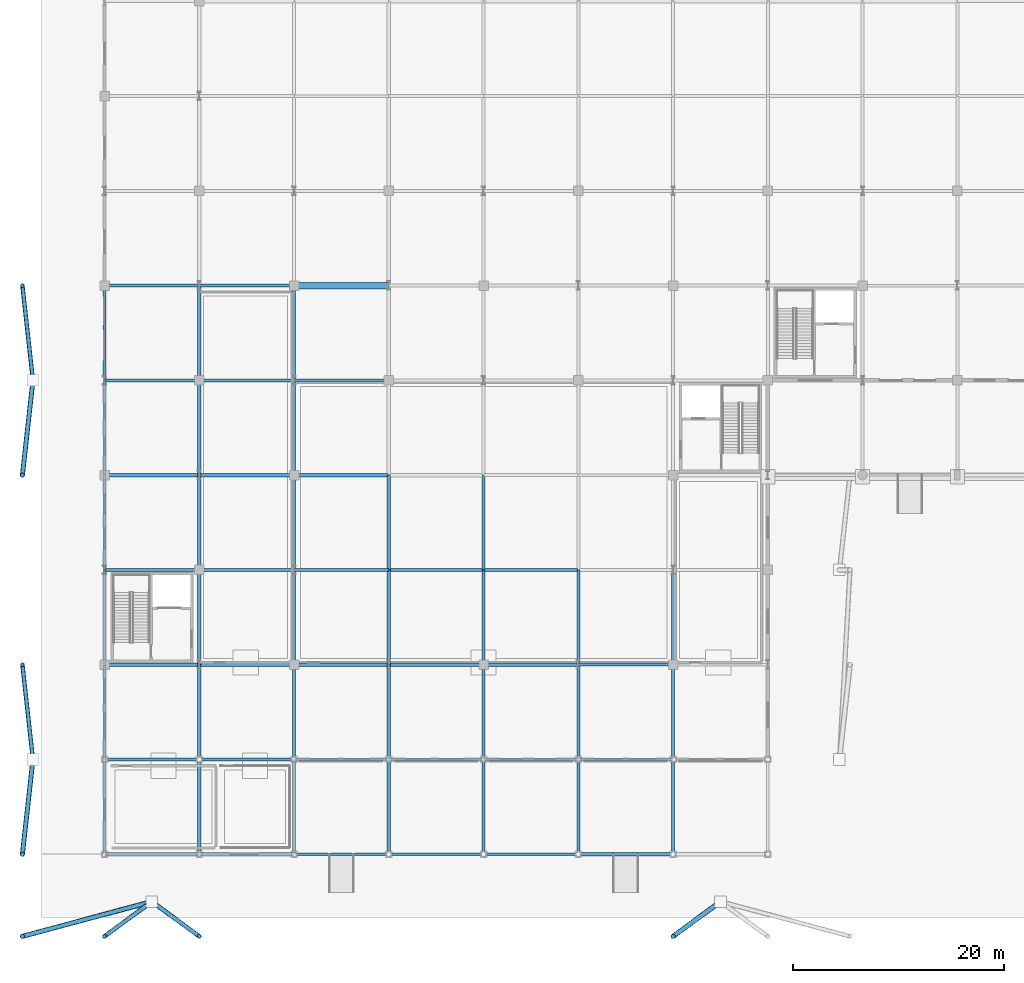
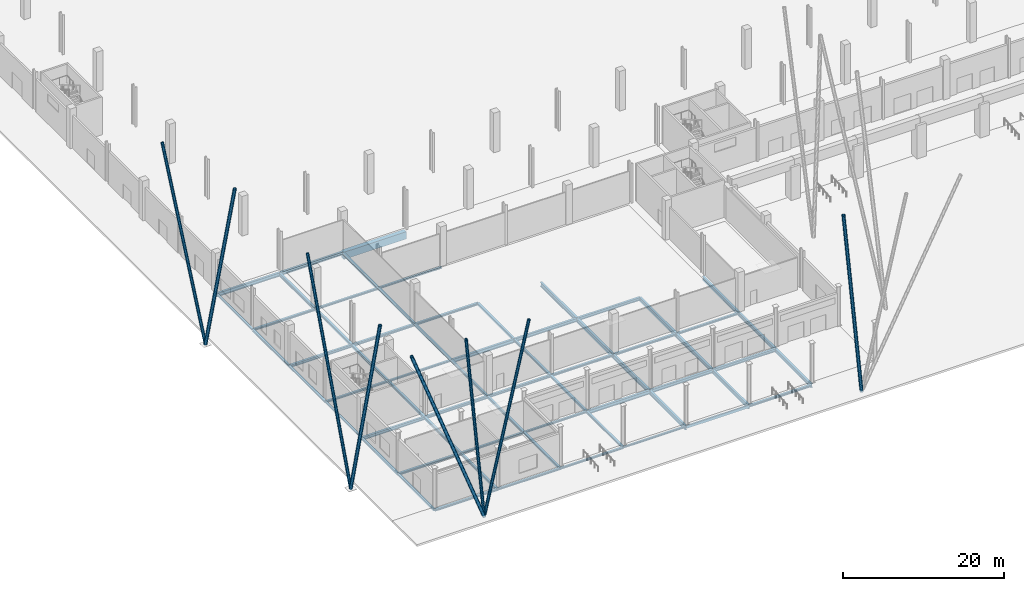
# One storey, part 18 of 58: 64 beams, 8 members.
"""IFC4 building model written with IfcOpenShell, lengths in metres."""

from ifc_helpers import new_model, si_unit, direction, frame, origin, origin_2d, place, context, subcontext, project, spatial, rectangle, hollow_rectangle, hollow_circle, i_section, extrude, material, material_profile, profile_set, type_object, element, save


model = new_model("IFC4")

# Units and contexts
model_context = context("Model", 3, precision=1e-05, world=origin(), true_north=direction((0.0, 1.0)))
body_context = subcontext(model_context, "Body", "Model", "MODEL_VIEW")
ifc_project = project(units=[si_unit("LENGTHUNIT", "METRE"), si_unit("AREAUNIT", "SQUARE_METRE"), si_unit("VOLUMEUNIT", "CUBIC_METRE"), si_unit("PLANEANGLEUNIT", "RADIAN"), si_unit("MASSUNIT", "GRAM", prefix="KILO")], contexts=[model_context])

# Site, building, storey
site_placement = place(None, origin())
site = spatial("IfcSite", under=ifc_project, at=site_placement, CompositionType="ELEMENT")
building_placement = place(site_placement, origin())
building = spatial("IfcBuilding", under=site, at=building_placement, Name="Barlavento Convention Centre", CompositionType="ELEMENT")
storey_placement = place(building_placement, origin())
storey = spatial("IfcBuildingStorey", under=building, at=storey_placement, Name="L00", CompositionType="ELEMENT", Elevation=0.0)

# Beams
ifc_material_1 = material(Name="Steel S355", Category="steel")
ifc_material_profile_1 = material_profile(ifc_material_1, i_section(OverallWidth=0.300048828125, OverallDepth=0.330078125, WebThickness=0.009521484375, FlangeThickness=0.0166015625, FilletRadius=0.027099609375, at=origin_2d()), Name="HEA 340")
ifc_profile_set_1 = profile_set([ifc_material_profile_1], Name="Steel S355")
beam_type_1 = type_object("IfcBeamType", Name="STR-BM-PRI-HEA340", PredefinedType="BEAM", material=ifc_profile_set_1)
for number, where, z_axis, x_axis, name in (
    (1, (27.0, 0.02001953125, -0.5048828125), (0.0, 1.0, 0.0), (-1.0, 0.0, 0.0), "L00 grid girder BG24"),
    (2, (27.0, 9.02001953125, -0.5048828125), (0.0, 1.0, 0.0), (-1.0, 0.0, 0.0), "L00 grid girder BG24"),
    (3, (27.0, 18.02001953125, -0.5048828125), (0.0, 1.0, 0.0), (-1.0, 0.0, 0.0), "L00 grid girder BG24"),
    (4, (27.0, 27.02001953125, -0.5048828125), (0.0, 1.0, 0.0), (-1.0, 0.0, 0.0), "L00 grid girder BG24"),
):
    element("IfcBeam", number, at=place(storey_placement, frame(where, z_axis=z_axis, x_axis=x_axis)), inside=storey, type_object=beam_type_1, Name=name, PredefinedType="BEAM", context=body_context, shape_type="SweptSolid", body=[
        extrude(i_section(OverallWidth=0.300048828125, OverallDepth=0.330078125, WebThickness=0.009521484375, FlangeThickness=0.0166015625, FilletRadius=0.027099609375, at=origin_2d()), origin(), (0.0, 0.0, 1.0), 8.9599609375),
    ])
ifc_material_profile_2 = material_profile(ifc_material_1, i_section(OverallWidth=0.300048828125, OverallDepth=0.35009765625, WebThickness=0.010009765625, FlangeThickness=0.017578125, FilletRadius=0.027099609375, at=origin_2d()), Name="HEA 360")
ifc_profile_set_2 = profile_set([ifc_material_profile_2], Name="Steel S355")
beam_type_2 = type_object("IfcBeamType", Name="STR-BM-PRI-HEA360", PredefinedType="BEAM", material=ifc_profile_set_2)
for number, where, z_axis, x_axis, name in (
    (5, (18.0, 0.02001953125, -0.514892578125), (0.0, 1.0, 0.0), (-1.0, 0.0, 0.0), "L00 grid girder BG23"),
    (6, (18.0, 9.02001953125, -0.514892578125), (0.0, 1.0, 0.0), (-1.0, 0.0, 0.0), "L00 grid girder BG23"),
    (7, (18.0, 18.02001953125, -0.514892578125), (0.0, 1.0, 0.0), (-1.0, 0.0, 0.0), "L00 grid girder BG23"),
    (8, (18.0, 27.02001953125, -0.514892578125), (0.0, 1.0, 0.0), (-1.0, 0.0, 0.0), "L00 grid girder BG23"),
    (9, (18.0, 36.02001953125, -0.514892578125), (0.0, 1.0, 0.0), (-1.0, 0.0, 0.0), "L00 grid girder BG23"),
):
    element("IfcBeam", number, at=place(storey_placement, frame(where, z_axis=z_axis, x_axis=x_axis)), inside=storey, type_object=beam_type_2, Name=name, PredefinedType="BEAM", context=body_context, shape_type="SweptSolid", body=[
        extrude(i_section(OverallWidth=0.300048828125, OverallDepth=0.35009765625, WebThickness=0.010009765625, FlangeThickness=0.017578125, FilletRadius=0.027099609375, at=origin_2d()), origin(), (0.0, 0.0, 1.0), 8.9599609375),
    ])
ifc_material_profile_3 = material_profile(ifc_material_1, i_section(OverallWidth=0.300048828125, OverallDepth=0.389892578125, WebThickness=0.010986328125, FlangeThickness=0.01904296875, FilletRadius=0.027099609375, at=origin_2d()), Name="HEA 400")
ifc_profile_set_3 = profile_set([ifc_material_profile_3], Name="Steel S355")
beam_type_3 = type_object("IfcBeamType", Name="STR-BM-PRI-HEA400", PredefinedType="BEAM", material=ifc_profile_set_3)
for number, where, z_axis, x_axis, name in (
    (10, (9.0, 0.02001953125, -0.534912109375), (0.0, 1.0, 0.0), (-1.0, 0.0, 0.0), "L00 grid girder BG22"),
    (11, (9.0, 9.02001953125, -0.534912109375), (0.0, 1.0, 0.0), (-1.0, 0.0, 0.0), "L00 grid girder BG22"),
    (12, (9.0, 18.02001953125, -0.534912109375), (0.0, 1.0, 0.0), (-1.0, 0.0, 0.0), "L00 grid girder BG22"),
    (13, (9.0, 27.02001953125, -0.534912109375), (0.0, 1.0, 0.0), (-1.0, 0.0, 0.0), "L00 grid girder BG22"),
    (14, (9.0, 36.02001953125, -0.534912109375), (0.0, 1.0, 0.0), (-1.0, 0.0, 0.0), "L00 grid girder BG22"),
):
    element("IfcBeam", number, at=place(storey_placement, frame(where, z_axis=z_axis, x_axis=x_axis)), inside=storey, type_object=beam_type_3, Name=name, PredefinedType="BEAM", context=body_context, shape_type="SweptSolid", body=[
        extrude(i_section(OverallWidth=0.300048828125, OverallDepth=0.389892578125, WebThickness=0.010986328125, FlangeThickness=0.01904296875, FilletRadius=0.027099609375, at=origin_2d()), origin(), (0.0, 0.0, 1.0), 8.9599609375),
    ])
ifc_material_profile_4 = material_profile(ifc_material_1, i_section(OverallWidth=0.300048828125, OverallDepth=0.43994140625, WebThickness=0.011474609375, FlangeThickness=0.02099609375, FilletRadius=0.027099609375, at=origin_2d()), Name="HEA 450")
ifc_profile_set_4 = profile_set([ifc_material_profile_4], Name="Steel S355")
beam_type_4 = type_object("IfcBeamType", Name="STR-BM-PRI-HEA450", PredefinedType="BEAM", material=ifc_profile_set_4)
beam_1_placement = place(storey_placement, frame((18.0, 45.02001953125, -0.60009765625), z_axis=(0.0, 1.0, 0.0), x_axis=(-1.0, 0.0, 0.0)))
element("IfcBeam", 15, at=beam_1_placement, inside=storey, type_object=beam_type_4, Name="L00 grid girder BG21", PredefinedType="BEAM", context=body_context, shape_type="SweptSolid", body=[
    extrude(i_section(OverallWidth=0.300048828125, OverallDepth=0.43994140625, WebThickness=0.011474609375, FlangeThickness=0.02099609375, FilletRadius=0.027099609375, at=origin_2d()), origin(), (0.0, 0.0, 1.0), 8.9599609375),
])
ifc_material_profile_5 = material_profile(ifc_material_1, i_section(OverallWidth=0.300048828125, OverallDepth=0.489990234375, WebThickness=0.011962890625, FlangeThickness=0.02294921875, FilletRadius=0.027099609375, at=origin_2d()), Name="HEA 500")
ifc_profile_set_5 = profile_set([ifc_material_profile_5], Name="Steel S355")
beam_type_5 = type_object("IfcBeamType", Name="STR-BM-PRI-HEA500", PredefinedType="BEAM", material=ifc_profile_set_5)
beam_2_placement = place(storey_placement, frame((9.0, 45.02001953125, -0.625), z_axis=(0.0, 1.0, 0.0), x_axis=(-1.0, 0.0, 0.0)))
element("IfcBeam", 16, at=beam_2_placement, inside=storey, type_object=beam_type_5, Name="L00 grid girder BG20", PredefinedType="BEAM", context=body_context, shape_type="SweptSolid", body=[
    extrude(i_section(OverallWidth=0.300048828125, OverallDepth=0.489990234375, WebThickness=0.011962890625, FlangeThickness=0.02294921875, FilletRadius=0.027099609375, at=origin_2d()), origin(), (0.0, 0.0, 1.0), 8.9599609375),
])
ifc_material_profile_6 = material_profile(ifc_material_1, i_section(OverallWidth=0.300048828125, OverallDepth=0.5400390625, WebThickness=0.012451171875, FlangeThickness=0.02392578125, FilletRadius=0.027099609375, at=origin_2d()), Name="HEA 550")
ifc_profile_set_6 = profile_set([ifc_material_profile_6], Name="Steel S355")
beam_type_6 = type_object("IfcBeamType", Name="STR-BM-PRI-HEA550", PredefinedType="BEAM", material=ifc_profile_set_6)
for number, where, z_axis, x_axis, name in (
    (17, (54.0, 0.02001953125, -0.610107421875), (0.0, 1.0, 0.0), (-1.0, 0.0, 0.0), "L00 grid girder BG19"),
    (18, (54.0, 9.02001953125, -0.610107421875), (0.0, 1.0, 0.0), (-1.0, 0.0, 0.0), "L00 grid girder BG19"),
    (19, (54.0, 18.02001953125, -0.610107421875), (0.0, 1.0, 0.0), (-1.0, 0.0, 0.0), "L00 grid girder BG19"),
):
    element("IfcBeam", number, at=place(storey_placement, frame(where, z_axis=z_axis, x_axis=x_axis)), inside=storey, type_object=beam_type_6, Name=name, PredefinedType="BEAM", context=body_context, shape_type="SweptSolid", body=[
        extrude(i_section(OverallWidth=0.300048828125, OverallDepth=0.5400390625, WebThickness=0.012451171875, FlangeThickness=0.02392578125, FilletRadius=0.027099609375, at=origin_2d()), origin(), (0.0, 0.0, 1.0), 8.9599609375),
    ])
ifc_material_profile_7 = material_profile(ifc_material_1, i_section(OverallWidth=0.300048828125, OverallDepth=0.590087890625, WebThickness=0.012939453125, FlangeThickness=0.02490234375, FilletRadius=0.027099609375, at=origin_2d()), Name="HEA 600")
ifc_profile_set_7 = profile_set([ifc_material_profile_7], Name="Steel S355")
beam_type_7 = type_object("IfcBeamType", Name="STR-BM-PRI-HEA600", PredefinedType="BEAM", material=ifc_profile_set_7)
for number, where, z_axis, x_axis, name in (
    (20, (45.0, 0.02001953125, -0.635009765625), (0.0, 1.0, 0.0), (-1.0, 0.0, 0.0), "L00 grid girder BG18"),
    (21, (45.0, 9.02001953125, -0.635009765625), (0.0, 1.0, 0.0), (-1.0, 0.0, 0.0), "L00 grid girder BG18"),
    (22, (45.0, 18.02001953125, -0.635009765625), (0.0, 1.0, 0.0), (-1.0, 0.0, 0.0), "L00 grid girder BG18"),
):
    element("IfcBeam", number, at=place(storey_placement, frame(where, z_axis=z_axis, x_axis=x_axis)), inside=storey, type_object=beam_type_7, Name=name, PredefinedType="BEAM", context=body_context, shape_type="SweptSolid", body=[
        extrude(i_section(OverallWidth=0.300048828125, OverallDepth=0.590087890625, WebThickness=0.012939453125, FlangeThickness=0.02490234375, FilletRadius=0.027099609375, at=origin_2d()), origin(), (0.0, 0.0, 1.0), 8.9599609375),
    ])
ifc_material_profile_8 = material_profile(ifc_material_1, i_section(OverallWidth=0.300048828125, OverallDepth=0.639892578125, WebThickness=0.013427734375, FlangeThickness=0.02587890625, FilletRadius=0.027099609375, at=origin_2d()), Name="HEA 650")
ifc_profile_set_8 = profile_set([ifc_material_profile_8], Name="Steel S355")
beam_type_8 = type_object("IfcBeamType", Name="STR-BM-PRI-HEA650", PredefinedType="BEAM", material=ifc_profile_set_8)
for number, where, z_axis, x_axis, name in (
    (23, (36.0, 0.02001953125, -0.659912109375), (0.0, 1.0, 0.0), (-1.0, 0.0, 0.0), "L00 grid girder BG17"),
    (24, (36.0, 9.02001953125, -0.659912109375), (0.0, 1.0, 0.0), (-1.0, 0.0, 0.0), "L00 grid girder BG17"),
    (25, (36.0, 18.02001953125, -0.659912109375), (0.0, 1.0, 0.0), (-1.0, 0.0, 0.0), "L00 grid girder BG17"),
    (26, (36.0, 27.02001953125, -0.659912109375), (0.0, 1.0, 0.0), (-1.0, 0.0, 0.0), "L00 grid girder BG17"),
):
    element("IfcBeam", number, at=place(storey_placement, frame(where, z_axis=z_axis, x_axis=x_axis)), inside=storey, type_object=beam_type_8, Name=name, PredefinedType="BEAM", context=body_context, shape_type="SweptSolid", body=[
        extrude(i_section(OverallWidth=0.300048828125, OverallDepth=0.639892578125, WebThickness=0.013427734375, FlangeThickness=0.02587890625, FilletRadius=0.027099609375, at=origin_2d()), origin(), (0.0, 0.0, 1.0), 8.9599609375),
    ])
ifc_material_profile_9 = material_profile(ifc_material_1, i_section(OverallWidth=0.260009765625, OverallDepth=0.260009765625, WebThickness=0.010009765625, FlangeThickness=0.017578125, FilletRadius=0.02392578125, at=origin_2d()), Name="HEB 260")
ifc_profile_set_9 = profile_set([ifc_material_profile_9], Name="Steel S355")
beam_type_9 = type_object("IfcBeamType", Name="STR-BM-PRI-HEB260", PredefinedType="BEAM", material=ifc_profile_set_9)
for number, where, z_axis, x_axis, name in (
    (27, (18.02001953125, 9.0, -0.469970703125), (1.0, 0.0, 0.0), (0.0, 1.0, 0.0), "L00 primary girder BG16"),
    (28, (9.02001953125, 27.0, -0.469970703125), (1.0, 0.0, 0.0), (0.0, 1.0, 0.0), "L00 primary girder BG16"),
    (29, (18.02001953125, 45.0, -0.469970703125), (1.0, 0.0, 0.0), (0.0, 1.0, 0.0), "L00 primary girder BG16"),
):
    element("IfcBeam", number, at=place(storey_placement, frame(where, z_axis=z_axis, x_axis=x_axis)), inside=storey, type_object=beam_type_9, Name=name, PredefinedType="BEAM", context=body_context, shape_type="SweptSolid", body=[
        extrude(i_section(OverallWidth=0.260009765625, OverallDepth=0.260009765625, WebThickness=0.010009765625, FlangeThickness=0.017578125, FilletRadius=0.02392578125, at=origin_2d()), origin(), (0.0, 0.0, 1.0), 8.9599609375),
    ])
ifc_material_profile_10 = material_profile(ifc_material_1, i_section(OverallWidth=0.280029296875, OverallDepth=0.280029296875, WebThickness=0.010498046875, FlangeThickness=0.01806640625, FilletRadius=0.02392578125, at=origin_2d()), Name="HEB 280")
ifc_profile_set_10 = profile_set([ifc_material_profile_10], Name="Steel S355")
beam_type_10 = type_object("IfcBeamType", Name="STR-BM-PRI-HEB280", PredefinedType="BEAM", material=ifc_profile_set_10)
for number, where, z_axis, x_axis, name in (
    (30, (9.02001953125, 9.0, -0.47998046875), (1.0, 0.0, 0.0), (0.0, 1.0, 0.0), "L00 primary girder BG15"),
    (31, (45.02001953125, 18.0, -0.47998046875), (1.0, 0.0, 0.0), (0.0, 1.0, 0.0), "L00 primary girder BG15"),
    (32, (0.02001953125, 27.0, -0.47998046875), (1.0, 0.0, 0.0), (0.0, 1.0, 0.0), "L00 primary girder BG15"),
    (33, (9.02001953125, 45.0, -0.47998046875), (1.0, 0.0, 0.0), (0.0, 1.0, 0.0), "L00 primary girder BG15"),
):
    element("IfcBeam", number, at=place(storey_placement, frame(where, z_axis=z_axis, x_axis=x_axis)), inside=storey, type_object=beam_type_10, Name=name, PredefinedType="BEAM", context=body_context, shape_type="SweptSolid", body=[
        extrude(i_section(OverallWidth=0.280029296875, OverallDepth=0.280029296875, WebThickness=0.010498046875, FlangeThickness=0.01806640625, FilletRadius=0.02392578125, at=origin_2d()), origin(), (0.0, 0.0, 1.0), 8.9599609375),
    ])
ifc_material_profile_11 = material_profile(ifc_material_1, i_section(OverallWidth=0.300048828125, OverallDepth=0.300048828125, WebThickness=0.010986328125, FlangeThickness=0.01904296875, FilletRadius=0.027099609375, at=origin_2d()), Name="HEB 300")
ifc_profile_set_11 = profile_set([ifc_material_profile_11], Name="Steel S355")
beam_type_11 = type_object("IfcBeamType", Name="STR-BM-PRI-HEB300", PredefinedType="BEAM", material=ifc_profile_set_11)
for number, where, z_axis, x_axis, name in (
    (34, (0.02001953125, 9.0, -0.489990234375), (1.0, 0.0, 0.0), (0.0, 1.0, 0.0), "L00 primary girder BG14"),
    (35, (36.02001953125, 18.0, -0.489990234375), (1.0, 0.0, 0.0), (0.0, 1.0, 0.0), "L00 primary girder BG14"),
    (36, (0.02001953125, 45.0, -0.489990234375), (1.0, 0.0, 0.0), (0.0, 1.0, 0.0), "L00 primary girder BG14"),
):
    element("IfcBeam", number, at=place(storey_placement, frame(where, z_axis=z_axis, x_axis=x_axis)), inside=storey, type_object=beam_type_11, Name=name, PredefinedType="BEAM", context=body_context, shape_type="SweptSolid", body=[
        extrude(i_section(OverallWidth=0.300048828125, OverallDepth=0.300048828125, WebThickness=0.010986328125, FlangeThickness=0.01904296875, FilletRadius=0.027099609375, at=origin_2d()), origin(), (0.0, 0.0, 1.0), 8.9599609375),
    ])
ifc_material_profile_12 = material_profile(ifc_material_1, i_section(OverallWidth=0.300048828125, OverallDepth=0.320068359375, WebThickness=0.011474609375, FlangeThickness=0.0205078125, FilletRadius=0.027099609375, at=origin_2d()), Name="HEB 320")
ifc_profile_set_12 = profile_set([ifc_material_profile_12], Name="Steel S355")
beam_type_12 = type_object("IfcBeamType", Name="STR-BM-PRI-HEB320", PredefinedType="BEAM", material=ifc_profile_set_12)
for number, where, z_axis, x_axis, name in (
    (37, (27.02001953125, 18.0, -0.5), (1.0, 0.0, 0.0), (0.0, 1.0, 0.0), "L00 primary girder BG13"),
    (38, (18.02001953125, 36.0, -0.5), (1.0, 0.0, 0.0), (0.0, 1.0, 0.0), "L00 primary girder BG13"),
):
    element("IfcBeam", number, at=place(storey_placement, frame(where, z_axis=z_axis, x_axis=x_axis)), inside=storey, type_object=beam_type_12, Name=name, PredefinedType="BEAM", context=body_context, shape_type="SweptSolid", body=[
        extrude(i_section(OverallWidth=0.300048828125, OverallDepth=0.320068359375, WebThickness=0.011474609375, FlangeThickness=0.0205078125, FilletRadius=0.027099609375, at=origin_2d()), origin(), (0.0, 0.0, 1.0), 8.9599609375),
    ])
ifc_material_profile_13 = material_profile(ifc_material_1, i_section(OverallWidth=0.300048828125, OverallDepth=0.360107421875, WebThickness=0.012451171875, FlangeThickness=0.0224609375, FilletRadius=0.027099609375, at=origin_2d()), Name="HEB 360")
ifc_profile_set_13 = profile_set([ifc_material_profile_13], Name="Steel S355")
beam_type_13 = type_object("IfcBeamType", Name="STR-BM-PRI-HEB360", PredefinedType="BEAM", material=ifc_profile_set_13)
for number, where, z_axis, x_axis, name in (
    (39, (18.02001953125, 18.0, -0.52001953125), (1.0, 0.0, 0.0), (0.0, 1.0, 0.0), "L00 primary girder BG12"),
    (40, (9.02001953125, 36.0, -0.52001953125), (1.0, 0.0, 0.0), (0.0, 1.0, 0.0), "L00 primary girder BG12"),
):
    element("IfcBeam", number, at=place(storey_placement, frame(where, z_axis=z_axis, x_axis=x_axis)), inside=storey, type_object=beam_type_13, Name=name, PredefinedType="BEAM", context=body_context, shape_type="SweptSolid", body=[
        extrude(i_section(OverallWidth=0.300048828125, OverallDepth=0.360107421875, WebThickness=0.012451171875, FlangeThickness=0.0224609375, FilletRadius=0.027099609375, at=origin_2d()), origin(), (0.0, 0.0, 1.0), 8.9599609375),
    ])
ifc_material_profile_14 = material_profile(ifc_material_1, i_section(OverallWidth=0.300048828125, OverallDepth=0.39990234375, WebThickness=0.013427734375, FlangeThickness=0.02392578125, FilletRadius=0.027099609375, at=origin_2d()), Name="HEB 400")
ifc_profile_set_14 = profile_set([ifc_material_profile_14], Name="Steel S355")
beam_type_14 = type_object("IfcBeamType", Name="STR-BM-PRI-HEB400", PredefinedType="BEAM", material=ifc_profile_set_14)
for number, where, z_axis, x_axis, name in (
    (41, (9.02001953125, 18.0, -0.5400390625), (1.0, 0.0, 0.0), (0.0, 1.0, 0.0), "L00 primary girder BG11"),
    (42, (0.02001953125, 36.0, -0.5400390625), (1.0, 0.0, 0.0), (0.0, 1.0, 0.0), "L00 primary girder BG11"),
):
    element("IfcBeam", number, at=place(storey_placement, frame(where, z_axis=z_axis, x_axis=x_axis)), inside=storey, type_object=beam_type_14, Name=name, PredefinedType="BEAM", context=body_context, shape_type="SweptSolid", body=[
        extrude(i_section(OverallWidth=0.300048828125, OverallDepth=0.39990234375, WebThickness=0.013427734375, FlangeThickness=0.02392578125, FilletRadius=0.027099609375, at=origin_2d()), origin(), (0.0, 0.0, 1.0), 8.9599609375),
    ])
ifc_material_profile_15 = material_profile(ifc_material_1, i_section(OverallWidth=0.300048828125, OverallDepth=0.449951171875, WebThickness=0.013916015625, FlangeThickness=0.02587890625, FilletRadius=0.027099609375, at=origin_2d()), Name="HEB 450")
ifc_profile_set_15 = profile_set([ifc_material_profile_15], Name="Steel S355")
beam_type_15 = type_object("IfcBeamType", Name="STR-BM-PRI-HEB450", PredefinedType="BEAM", material=ifc_profile_set_15)
for number, where, z_axis, x_axis, name in (
    (43, (45.02001953125, 9.0, -0.56494140625), (1.0, 0.0, 0.0), (0.0, 1.0, 0.0), "L00 primary girder BG10"),
    (44, (0.02001953125, 18.0, -0.56494140625), (1.0, 0.0, 0.0), (0.0, 1.0, 0.0), "L00 primary girder BG10"),
    (45, (36.02001953125, 27.0, -0.56494140625), (1.0, 0.0, 0.0), (0.0, 1.0, 0.0), "L00 primary girder BG10"),
):
    element("IfcBeam", number, at=place(storey_placement, frame(where, z_axis=z_axis, x_axis=x_axis)), inside=storey, type_object=beam_type_15, Name=name, PredefinedType="BEAM", context=body_context, shape_type="SweptSolid", body=[
        extrude(i_section(OverallWidth=0.300048828125, OverallDepth=0.449951171875, WebThickness=0.013916015625, FlangeThickness=0.02587890625, FilletRadius=0.027099609375, at=origin_2d()), origin(), (0.0, 0.0, 1.0), 8.9599609375),
    ])
ifc_material_profile_16 = material_profile(ifc_material_1, i_section(OverallWidth=0.300048828125, OverallDepth=0.5, WebThickness=0.014404296875, FlangeThickness=0.028076171875, FilletRadius=0.027099609375, at=origin_2d()), Name="HEB 500")
ifc_profile_set_16 = profile_set([ifc_material_profile_16], Name="Steel S355")
beam_type_16 = type_object("IfcBeamType", Name="STR-BM-PRI-HEB500", PredefinedType="BEAM", material=ifc_profile_set_16)
for number, where, z_axis, x_axis, name in (
    (46, (36.02001953125, 9.0, -0.590087890625), (1.0, 0.0, 0.0), (0.0, 1.0, 0.0), "L00 primary girder BG09"),
    (47, (27.02001953125, 27.0, -0.590087890625), (1.0, 0.0, 0.0), (0.0, 1.0, 0.0), "L00 primary girder BG09"),
    (48, (9.02001953125, 54.0, -0.6298828125), (1.0, 0.0, 0.0), (0.0, 1.0, 0.0), "L00 primary girder BG09"),
):
    element("IfcBeam", number, at=place(storey_placement, frame(where, z_axis=z_axis, x_axis=x_axis)), inside=storey, type_object=beam_type_16, Name=name, PredefinedType="BEAM", context=body_context, shape_type="SweptSolid", body=[
        extrude(i_section(OverallWidth=0.300048828125, OverallDepth=0.5, WebThickness=0.014404296875, FlangeThickness=0.028076171875, FilletRadius=0.027099609375, at=origin_2d()), origin(), (0.0, 0.0, 1.0), 8.9599609375),
    ])
ifc_material_profile_17 = material_profile(ifc_material_1, i_section(OverallWidth=0.300048828125, OverallDepth=0.550048828125, WebThickness=0.014892578125, FlangeThickness=0.029052734375, FilletRadius=0.027099609375, at=origin_2d()), Name="HEB 550")
ifc_profile_set_17 = profile_set([ifc_material_profile_17], Name="Steel S355")
beam_type_17 = type_object("IfcBeamType", Name="STR-BM-PRI-HEB550", PredefinedType="BEAM", material=ifc_profile_set_17)
for number, where, z_axis, x_axis, name in (
    (49, (27.02001953125, 9.0, -0.614990234375), (1.0, 0.0, 0.0), (0.0, 1.0, 0.0), "L00 primary girder BG08"),
    (50, (18.02001953125, 27.0, -0.614990234375), (1.0, 0.0, 0.0), (0.0, 1.0, 0.0), "L00 primary girder BG08"),
    (51, (0.02001953125, 54.0, -0.655029296875), (1.0, 0.0, 0.0), (0.0, 1.0, 0.0), "L00 primary girder BG08"),
):
    element("IfcBeam", number, at=place(storey_placement, frame(where, z_axis=z_axis, x_axis=x_axis)), inside=storey, type_object=beam_type_17, Name=name, PredefinedType="BEAM", context=body_context, shape_type="SweptSolid", body=[
        extrude(i_section(OverallWidth=0.300048828125, OverallDepth=0.550048828125, WebThickness=0.014892578125, FlangeThickness=0.029052734375, FilletRadius=0.027099609375, at=origin_2d()), origin(), (0.0, 0.0, 1.0), 8.9599609375),
    ])
ifc_material_2 = material(Name="Concrete C40/50", Category="concrete")
ifc_material_profile_18 = material_profile(ifc_material_2, rectangle(XDim=0.60009765625, YDim=1.10009765625, at=origin_2d()), Name="RC 600x1100")
ifc_profile_set_18 = profile_set([ifc_material_profile_18], Name="Concrete C40/50")
beam_type_18 = type_object("IfcBeamType", Name="STR-BM-RC-600X1100", PredefinedType="T_BEAM", material=ifc_profile_set_18)
beam_3_placement = place(storey_placement, frame((18.02001953125, 54.0, -0.929931640625), z_axis=(1.0, 0.0, 0.0), x_axis=(0.0, 1.0, 0.0)))
element("IfcBeam", 52, at=beam_3_placement, inside=storey, type_object=beam_type_18, Name="L00 primary girder RCB01", PredefinedType="T_BEAM", context=body_context, shape_type="SweptSolid", body=[
    extrude(rectangle(XDim=0.60009765625, YDim=1.10009765625, at=origin_2d()), origin(), (0.0, 0.0, 1.0), 8.9599609375),
])
ifc_material_profile_19 = material_profile(ifc_material_1, i_section(OverallWidth=0.239990234375, OverallDepth=0.22998046875, WebThickness=0.007568359375, FlangeThickness=0.011962890625, FilletRadius=0.02099609375, at=origin_2d()), Name="HEA 240")
ifc_profile_set_19 = profile_set([ifc_material_profile_19], Name="Steel S355")
beam_type_19 = type_object("IfcBeamType", Name="STR-BM-SPN-HEA240", PredefinedType="SPANDREL", material=ifc_profile_set_19)
for number, where, z_axis, x_axis, name in (
    (53, (27.02001953125, 0.0, -0.425048828125), (1.0, 0.0, 0.0), (0.0, 1.0, 0.0), "L00 primary girder SP05"),
    (54, (0.0, 18.02001953125, -0.455078125), (0.0, 1.0, 0.0), (-1.0, 0.0, 0.0), "L00 grid girder SP05"),
    (55, (0.0, 45.02001953125, -0.4951171875), (0.0, 1.0, 0.0), (-1.0, 0.0, 0.0), "L00 grid girder SP05"),
):
    element("IfcBeam", number, at=place(storey_placement, frame(where, z_axis=z_axis, x_axis=x_axis)), inside=storey, type_object=beam_type_19, Name=name, PredefinedType="SPANDREL", context=body_context, shape_type="SweptSolid", body=[
        extrude(i_section(OverallWidth=0.239990234375, OverallDepth=0.22998046875, WebThickness=0.007568359375, FlangeThickness=0.011962890625, FilletRadius=0.02099609375, at=origin_2d()), origin(), (0.0, 0.0, 1.0), 8.9599609375),
    ])
ifc_material_profile_20 = material_profile(ifc_material_1, i_section(OverallWidth=0.260009765625, OverallDepth=0.25, WebThickness=0.007568359375, FlangeThickness=0.012451171875, FilletRadius=0.02392578125, at=origin_2d()), Name="HEA 260")
ifc_profile_set_20 = profile_set([ifc_material_profile_20], Name="Steel S355")
beam_type_20 = type_object("IfcBeamType", Name="STR-BM-SPN-HEA260", PredefinedType="SPANDREL", material=ifc_profile_set_20)
beam_4_placement = place(storey_placement, frame((18.02001953125, 0.0, -0.465087890625), z_axis=(1.0, 0.0, 0.0), x_axis=(0.0, 1.0, 0.0)))
element("IfcBeam", 56, at=beam_4_placement, inside=storey, type_object=beam_type_20, Name="L00 primary girder SP04", PredefinedType="SPANDREL", context=body_context, shape_type="SweptSolid", body=[
    extrude(i_section(OverallWidth=0.260009765625, OverallDepth=0.25, WebThickness=0.007568359375, FlangeThickness=0.012451171875, FilletRadius=0.02392578125, at=origin_2d()), origin(), (0.0, 0.0, 1.0), 8.9599609375),
])
ifc_material_profile_21 = material_profile(ifc_material_1, i_section(OverallWidth=0.280029296875, OverallDepth=0.27001953125, WebThickness=0.008056640625, FlangeThickness=0.012939453125, FilletRadius=0.02392578125, at=origin_2d()), Name="HEA 280")
ifc_profile_set_21 = profile_set([ifc_material_profile_21], Name="Steel S355")
beam_type_21 = type_object("IfcBeamType", Name="STR-BM-SPN-HEA280", PredefinedType="SPANDREL", material=ifc_profile_set_21)
for number, where, z_axis, x_axis, name in (
    (57, (9.02001953125, 0.0, -0.47509765625), (1.0, 0.0, 0.0), (0.0, 1.0, 0.0), "L00 primary girder SP03"),
    (58, (0.0, 0.02001953125, -0.47509765625), (0.0, 1.0, 0.0), (-1.0, 0.0, 0.0), "L00 grid girder SP03"),
    (59, (0.0, 27.02001953125, -0.47509765625), (0.0, 1.0, 0.0), (-1.0, 0.0, 0.0), "L00 grid girder SP03"),
):
    element("IfcBeam", number, at=place(storey_placement, frame(where, z_axis=z_axis, x_axis=x_axis)), inside=storey, type_object=beam_type_21, Name=name, PredefinedType="SPANDREL", context=body_context, shape_type="SweptSolid", body=[
        extrude(i_section(OverallWidth=0.280029296875, OverallDepth=0.27001953125, WebThickness=0.008056640625, FlangeThickness=0.012939453125, FilletRadius=0.02392578125, at=origin_2d()), origin(), (0.0, 0.0, 1.0), 8.9599609375),
    ])
ifc_material_profile_22 = material_profile(ifc_material_1, i_section(OverallWidth=0.300048828125, OverallDepth=0.2900390625, WebThickness=0.008544921875, FlangeThickness=0.013916015625, FilletRadius=0.027099609375, at=origin_2d()), Name="HEA 300")
ifc_profile_set_22 = profile_set([ifc_material_profile_22], Name="Steel S355")
beam_type_22 = type_object("IfcBeamType", Name="STR-BM-SPN-HEA300", PredefinedType="SPANDREL", material=ifc_profile_set_22)
beam_5_placement = place(storey_placement, frame((0.02001953125, 0.0, -0.485107421875), z_axis=(1.0, 0.0, 0.0), x_axis=(0.0, 1.0, 0.0)))
element("IfcBeam", 60, at=beam_5_placement, inside=storey, type_object=beam_type_22, Name="L00 primary girder SP02", PredefinedType="SPANDREL", context=body_context, shape_type="SweptSolid", body=[
    extrude(i_section(OverallWidth=0.300048828125, OverallDepth=0.2900390625, WebThickness=0.008544921875, FlangeThickness=0.013916015625, FilletRadius=0.027099609375, at=origin_2d()), origin(), (0.0, 0.0, 1.0), 8.9599609375),
])
ifc_material_profile_23 = material_profile(ifc_material_1, i_section(OverallWidth=0.300048828125, OverallDepth=0.31005859375, WebThickness=0.009033203125, FlangeThickness=0.015380859375, FilletRadius=0.027099609375, at=origin_2d()), Name="HEA 320")
ifc_profile_set_23 = profile_set([ifc_material_profile_23], Name="Steel S355")
beam_type_23 = type_object("IfcBeamType", Name="STR-BM-SPN-HEA320", PredefinedType="SPANDREL", material=ifc_profile_set_23)
for number, where, z_axis, x_axis, name in (
    (61, (45.02001953125, 0.0, -0.465087890625), (1.0, 0.0, 0.0), (0.0, 1.0, 0.0), "L00 primary girder SP01"),
    (62, (0.0, 9.02001953125, -0.4951171875), (0.0, 1.0, 0.0), (-1.0, 0.0, 0.0), "L00 grid girder SP01"),
    (63, (0.0, 36.02001953125, -0.4951171875), (0.0, 1.0, 0.0), (-1.0, 0.0, 0.0), "L00 grid girder SP01"),
):
    element("IfcBeam", number, at=place(storey_placement, frame(where, z_axis=z_axis, x_axis=x_axis)), inside=storey, type_object=beam_type_23, Name=name, PredefinedType="SPANDREL", context=body_context, shape_type="SweptSolid", body=[
        extrude(i_section(OverallWidth=0.300048828125, OverallDepth=0.31005859375, WebThickness=0.009033203125, FlangeThickness=0.015380859375, FilletRadius=0.027099609375, at=origin_2d()), origin(), (0.0, 0.0, 1.0), 8.9599609375),
    ])
ifc_material_profile_24 = material_profile(ifc_material_1, hollow_rectangle(XDim=0.199951171875, YDim=0.39990234375, WallThickness=0.01611328125, at=origin_2d()), Name="RHS 400x200x16.0")
ifc_profile_set_24 = profile_set([ifc_material_profile_24], Name="Steel S355")
beam_type_24 = type_object("IfcBeamType", Name="STR-BM-SPN-RHS400", PredefinedType="SPANDREL", material=ifc_profile_set_24)
beam_6_placement = place(storey_placement, frame((36.02001953125, 0.0, -0.510009765625), z_axis=(1.0, 0.0, 0.0), x_axis=(0.0, 1.0, 0.0)))
element("IfcBeam", 64, at=beam_6_placement, inside=storey, type_object=beam_type_24, Name="L00 primary girder SP06", PredefinedType="SPANDREL", context=body_context, shape_type="SweptSolid", body=[
    extrude(hollow_rectangle(XDim=0.199951171875, YDim=0.39990234375, WallThickness=0.01611328125, at=origin_2d()), origin(), (0.0, 0.0, 1.0), 8.9599609375),
])

# Members
ifc_material_profile_25 = material_profile(ifc_material_1, hollow_circle(Radius=0.203125, WallThickness=0.01611328125, at=origin_2d()), Name="CHS 406.4x16.0")
ifc_profile_set_25 = profile_set([ifc_material_profile_25], Name="Steel S355")
member_type_1 = type_object("IfcMemberType", Name="STR-MEM-VSTRUT-CHS406", PredefinedType="BRACE", material=ifc_profile_set_25)
member_1_placement = place(storey_placement, frame((4.5, -4.5, -0.300048828125), z_axis=(-0.145654117005, -0.106814599585, 0.983552499623), x_axis=(0.591369353648, -0.806400823144, 0.0)))
element("IfcMember", 65, at=member_1_placement, inside=storey, type_object=member_type_1, Name="Congress canopy raked typhoon V-strut VS02", PredefinedType="BRACE", context=body_context, shape_type="SweptSolid", body=[
    extrude(hollow_circle(Radius=0.203125, WallThickness=0.01611328125, at=origin_2d()), origin(), (0.0, 0.0, 1.0), 30.89501953125),
])
member_2_placement = place(storey_placement, frame((4.5, -4.5, -0.300048828125), z_axis=(0.146262256658, -0.107260575263, 0.983413708096), x_axis=(0.591369353648, 0.806400823144, 0.0)))
element("IfcMember", 66, at=member_2_placement, inside=storey, type_object=member_type_1, Name="Congress canopy raked typhoon V-strut VS02", PredefinedType="BRACE", context=body_context, shape_type="SweptSolid", body=[
    extrude(hollow_circle(Radius=0.203125, WallThickness=0.01611328125, at=origin_2d()), origin(), (0.0, 0.0, 1.0), 30.7666015625),
])
member_3_placement = place(storey_placement, frame((-6.800048828125, 9.0, -0.300048828125), z_axis=(-0.031430848644, 0.282877637796, 0.958640883641), x_axis=(-0.993883734674, -0.110431526075, 0.0)))
element("IfcMember", 67, at=member_3_placement, inside=storey, type_object=member_type_1, Name="Congress canopy raked typhoon V-strut VS02", PredefinedType="BRACE", context=body_context, shape_type="SweptSolid", body=[
    extrude(hollow_circle(Radius=0.203125, WallThickness=0.01611328125, at=origin_2d()), origin(), (0.0, 0.0, 1.0), 31.81591796875),
])
member_4_placement = place(storey_placement, frame((-6.800048828125, 45.0, -0.300048828125), z_axis=(-0.037033457504, 0.333301117538, 0.942092823491), x_axis=(-0.993883734674, -0.110431526075, 0.0)))
element("IfcMember", 68, at=member_4_placement, inside=storey, type_object=member_type_1, Name="Congress canopy raked typhoon V-strut VS02", PredefinedType="BRACE", context=body_context, shape_type="SweptSolid", body=[
    extrude(hollow_circle(Radius=0.203125, WallThickness=0.01611328125, at=origin_2d()), origin(), (0.0, 0.0, 1.0), 27.002685546875),
])
ifc_material_3 = material(Name="Steel S460", Category="steel")
ifc_material_profile_26 = material_profile(ifc_material_3, hollow_circle(Radius=0.228515625, WallThickness=0.02001953125, at=origin_2d()), Name="CHS 457.0x20.0")
ifc_profile_set_26 = profile_set([ifc_material_profile_26], Name="Steel S460")
member_type_2 = type_object("IfcMemberType", Name="STR-MEM-VSTRUT-CHS457", PredefinedType="BRACE", material=ifc_profile_set_26)
member_5_placement = place(storey_placement, frame((4.5, -4.5, -0.300048828125), z_axis=(-0.372142887982, -0.099844294811, 0.922789676859), x_axis=(0.259131183183, -0.965842135083, 0.0)))
element("IfcMember", 69, at=member_5_placement, inside=storey, type_object=member_type_2, Name="Congress canopy raked typhoon V-strut VS01", PredefinedType="BRACE", context=body_context, shape_type="SweptSolid", body=[
    extrude(hollow_circle(Radius=0.228515625, WallThickness=0.02001953125, at=origin_2d()), origin(), (0.0, 0.0, 1.0), 33.052001953125),
])
member_6_placement = place(storey_placement, frame((58.5, -4.5, -0.300048828125), z_axis=(-0.146262256658, -0.107260575263, 0.983413708096), x_axis=(0.591369353648, -0.806400823144, 0.0)))
element("IfcMember", 70, at=member_6_placement, inside=storey, type_object=member_type_2, Name="Congress canopy raked typhoon V-strut VS01", PredefinedType="BRACE", context=body_context, shape_type="SweptSolid", body=[
    extrude(hollow_circle(Radius=0.228515625, WallThickness=0.02001953125, at=origin_2d()), origin(), (0.0, 0.0, 1.0), 30.7666015625),
])
member_7_placement = place(storey_placement, frame((-6.800048828125, 9.0, -0.300048828125), z_axis=(-0.031430848644, -0.282877637796, 0.958640883641), x_axis=(0.993883734674, -0.110431526075, 0.0)))
element("IfcMember", 71, at=member_7_placement, inside=storey, type_object=member_type_2, Name="Congress canopy raked typhoon V-strut VS01", PredefinedType="BRACE", context=body_context, shape_type="SweptSolid", body=[
    extrude(hollow_circle(Radius=0.228515625, WallThickness=0.02001953125, at=origin_2d()), origin(), (0.0, 0.0, 1.0), 31.81591796875),
])
member_8_placement = place(storey_placement, frame((-6.800048828125, 45.0, -0.300048828125), z_axis=(-0.032593229748, -0.293339067732, 0.955452705641), x_axis=(0.993883734674, -0.110431526075, 0.0)))
element("IfcMember", 72, at=member_8_placement, inside=storey, type_object=member_type_2, Name="Congress canopy raked typhoon V-strut VS01", PredefinedType="BRACE", context=body_context, shape_type="SweptSolid", body=[
    extrude(hollow_circle(Radius=0.228515625, WallThickness=0.02001953125, at=origin_2d()), origin(), (0.0, 0.0, 1.0), 30.68115234375),
])

save(model, "model.ifc")
